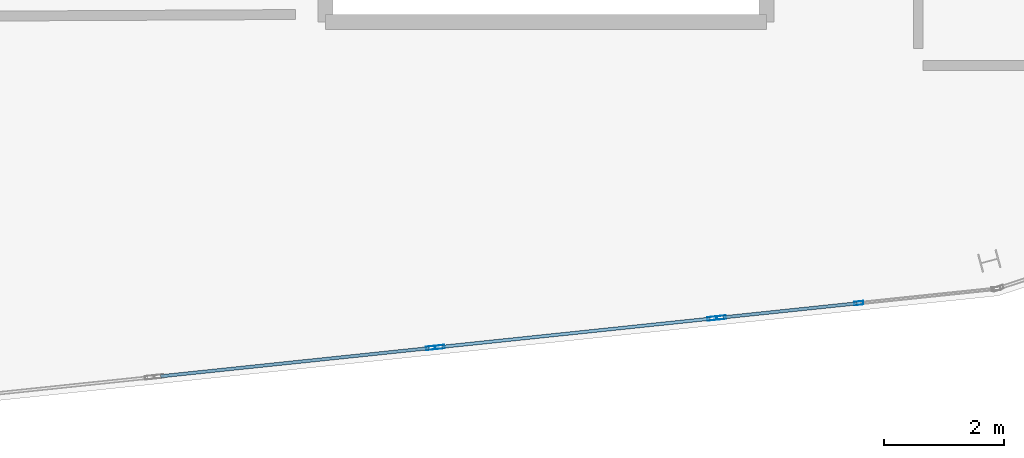
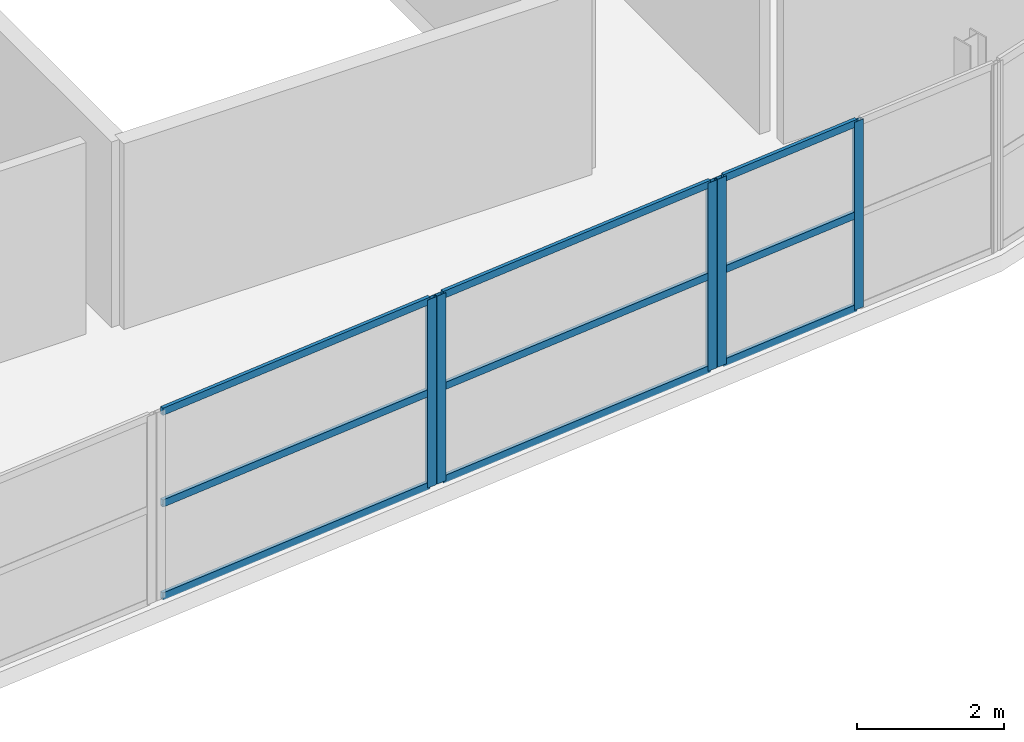
# One storey, part 17 of 35: 14 members, 3 elements without a shape of their own.
"""IFC4 building model written with IfcOpenShell, lengths in metres."""

from ifc_helpers import new_model, si_unit, direction, frame, origin, origin_2d, place, context, subcontext, project, spatial, hollow_rectangle, extrude, material, layer, layer_set, material_profile, profile_set, type_object, element, aggregate, save


model = new_model("IFC4")

# Units and contexts
model_context = context("Model", 3, precision=1e-05, world=origin(), true_north=direction((0.0, 1.0)))
body_context = subcontext(model_context, "Body", "Model", "MODEL_VIEW")
ifc_project = project(units=[si_unit("LENGTHUNIT", "METRE"), si_unit("AREAUNIT", "SQUARE_METRE"), si_unit("VOLUMEUNIT", "CUBIC_METRE"), si_unit("PLANEANGLEUNIT", "RADIAN"), si_unit("MASSUNIT", "GRAM", prefix="KILO")], contexts=[model_context])

# Site, building, storey
site_placement = place(None, origin())
site = spatial("IfcSite", under=ifc_project, at=site_placement, CompositionType="ELEMENT")
building_placement = place(site_placement, origin())
building = spatial("IfcBuilding", under=site, at=building_placement, Name="Kalgoora Escarpment Arena", CompositionType="ELEMENT")
storey_placement = place(building_placement, frame((0.0, 0.0, 23.39990234375)))
storey = spatial("IfcBuildingStorey", under=building, at=storey_placement, Name="L05", CompositionType="ELEMENT", Elevation=23.39990234375)

# Curtain wall, members
ifc_material_1 = material(Name=" Champagne anodised aluminium & double-glazed low-E", Category="aluminium")
ifc_layer_1 = layer(ifc_material_1, 0.154052734375)
ifc_layer_set_1 = layer_set([ifc_layer_1], Name="CW-UNIT-11")
curtain_wall_type_1 = type_object("IfcCurtainWallType", Name="CW-UNIT-11", PredefinedType="NOTDEFINED", material=ifc_layer_set_1)
curtain_wall_1_placement = place(storey_placement, origin())
curtain_wall_1 = element("IfcCurtainWall", 1, at=curtain_wall_1_placement, inside=storey, type_object=curtain_wall_type_1, Name="L05 unitised facade curtain wall 190", PredefinedType="NOTDEFINED")
ifc_material_2 = material(Name="Anodised aluminium 6063-T6", Category="aluminium")
ifc_material_profile_1 = material_profile(ifc_material_2, hollow_rectangle(XDim=0.06005859375, YDim=0.14990234375, WallThickness=0.00341796875, at=origin_2d()))
ifc_profile_set_1 = profile_set([ifc_material_profile_1], Name="Anodised aluminium 6063-T6")
member_type_1 = type_object("IfcMemberType", Name="MEM-CW-MULL-150", PredefinedType="MULLION", material=ifc_profile_set_1)
member_1_placement = place(storey_placement, frame((108.80859375, 8.2392578125, 0.02001953125), z_axis=(0.0, 0.0, 1.0), x_axis=(0.10415754759, -0.994560810247, 0.0)))
member_1 = element("IfcMember", 2, at=member_1_placement, type_object=member_type_1, Name="CW-11 mullion 2", PredefinedType="MULLION", context=body_context, shape_type="SweptSolid", body=[
    extrude(hollow_rectangle(XDim=0.06005859375, YDim=0.14990234375, WallThickness=0.00341796875, at=origin_2d()), origin(), (0.0, 0.0, 1.0), 3.1201171875),
])
member_2_placement = place(storey_placement, frame((106.52099609375, 7.999755859375, 0.02001953125), z_axis=(0.0, 0.0, 1.0), x_axis=(0.10415754759, -0.994560810247, 0.0)))
member_2 = element("IfcMember", 3, at=member_2_placement, type_object=member_type_1, Name="CW-11 mullion 3", PredefinedType="MULLION", context=body_context, shape_type="SweptSolid", body=[
    extrude(hollow_rectangle(XDim=0.06005859375, YDim=0.14990234375, WallThickness=0.00341796875, at=origin_2d()), origin(), (0.0, 0.0, 1.0), 3.1201171875),
])

ifc_material_3 = material(Name=" Champagne anodised aluminium & double-glazed low-E", Category="aluminium")
ifc_layer_2 = layer(ifc_material_3, 0.157958984375)
ifc_layer_set_2 = layer_set([ifc_layer_2], Name="CW-UNIT-12")
curtain_wall_type_2 = type_object("IfcCurtainWallType", Name="CW-UNIT-12", PredefinedType="NOTDEFINED", material=ifc_layer_set_2)
curtain_wall_2_placement = place(storey_placement, origin())
curtain_wall_2 = element("IfcCurtainWall", 4, at=curtain_wall_2_placement, inside=storey, type_object=curtain_wall_type_2, Name="L05 unitised facade curtain wall 191", PredefinedType="NOTDEFINED")
member_3_placement = place(storey_placement, frame((106.36181640625, 7.983154296875, 0.02001953125), z_axis=(0.0, 0.0, 1.0), x_axis=(0.104182310405, -0.994558216596, 0.0)))
member_3 = element("IfcMember", 5, at=member_3_placement, type_object=member_type_1, Name="CW-12 mullion 1", PredefinedType="MULLION", context=body_context, shape_type="SweptSolid", body=[
    extrude(hollow_rectangle(XDim=0.06005859375, YDim=0.14990234375, WallThickness=0.00341796875, at=origin_2d()), origin(), (0.0, 0.0, 1.0), 3.1201171875),
])
member_4_placement = place(storey_placement, frame((101.83642578125, 7.509033203125, 0.02001953125), z_axis=(0.0, 0.0, 1.0), x_axis=(0.104182310405, -0.994558216596, 0.0)))
member_4 = element("IfcMember", 6, at=member_4_placement, type_object=member_type_1, Name="CW-12 mullion 2", PredefinedType="MULLION", context=body_context, shape_type="SweptSolid", body=[
    extrude(hollow_rectangle(XDim=0.06005859375, YDim=0.14990234375, WallThickness=0.00341796875, at=origin_2d()), origin(), (0.0, 0.0, 1.0), 3.1201171875),
])

# Curtain wall, member
ifc_material_4 = material(Name=" Champagne anodised aluminium & double-glazed low-E", Category="aluminium")
ifc_layer_3 = layer(ifc_material_4, 0.162109375)
ifc_layer_set_3 = layer_set([ifc_layer_3], Name="CW-UNIT-13")
curtain_wall_type_3 = type_object("IfcCurtainWallType", Name="CW-UNIT-13", PredefinedType="NOTDEFINED", material=ifc_layer_set_3)
curtain_wall_3_placement = place(storey_placement, origin())
curtain_wall_3 = element("IfcCurtainWall", 7, at=curtain_wall_3_placement, inside=storey, type_object=curtain_wall_type_3, Name="L05 unitised facade curtain wall 192", PredefinedType="NOTDEFINED")
member_5_placement = place(storey_placement, frame((101.67724609375, 7.492431640625, 0.02001953125), z_axis=(0.0, 0.0, 1.0), x_axis=(0.104182310405, -0.994558216596, 0.0)))
member_5 = element("IfcMember", 8, at=member_5_placement, type_object=member_type_1, Name="CW-13 mullion 1", PredefinedType="MULLION", context=body_context, shape_type="SweptSolid", body=[
    extrude(hollow_rectangle(XDim=0.06005859375, YDim=0.14990234375, WallThickness=0.00341796875, at=origin_2d()), origin(), (0.0, 0.0, 1.0), 3.1201171875),
])

# Member
ifc_material_5 = material(Name="Anodised aluminium 6063-T6", Category="aluminium")
ifc_material_profile_2 = material_profile(ifc_material_5, hollow_rectangle(XDim=0.054931640625, YDim=0.1201171875, WallThickness=0.003173828125, at=origin_2d()))
ifc_profile_set_2 = profile_set([ifc_material_profile_2], Name="Anodised aluminium 6063-T6")
member_type_2 = type_object("IfcMemberType", Name="MEM-CW-TRAN-120", PredefinedType="USERDEFINED", material=ifc_profile_set_2)
member_6_placement = place(storey_placement, frame((108.77880859375, 8.236083984375, 0.047607421875), z_axis=(-0.99456916393, -0.104077750554, 0.0), x_axis=(0.104077750554, -0.99456916393, 0.0)))
member_6 = element("IfcMember", 9, at=member_6_placement, type_object=member_type_2, Name="CW-11 transom 2.1", ObjectType="TRANSOM", PredefinedType="USERDEFINED", context=body_context, shape_type="SweptSolid", body=[
    extrude(hollow_rectangle(XDim=0.054931640625, YDim=0.1201171875, WallThickness=0.003173828125, at=origin_2d()), origin(), (0.0, 0.0, 1.0), 2.240234375),
])

member_7_placement = place(storey_placement, frame((108.77880859375, 8.236083984375, 1.590087890625), z_axis=(-0.99456916393, -0.104077750554, 0.0), x_axis=(0.104077750554, -0.99456916393, 0.0)))
member_7 = element("IfcMember", 10, at=member_7_placement, type_object=member_type_2, Name="CW-11 transom 2.2", ObjectType="TRANSOM", PredefinedType="USERDEFINED", context=body_context, shape_type="SweptSolid", body=[
    extrude(hollow_rectangle(XDim=0.054931640625, YDim=0.1201171875, WallThickness=0.003173828125, at=origin_2d()), origin(), (0.0, 0.0, 1.0), 2.240234375),
])

member_8_placement = place(storey_placement, frame((108.77880859375, 8.236083984375, 3.112548828125), z_axis=(-0.99456916393, -0.104077750554, 0.0), x_axis=(0.104077750554, -0.99456916393, 0.0)))
member_8 = element("IfcMember", 11, at=member_8_placement, type_object=member_type_2, Name="CW-11 transom 2.3", ObjectType="TRANSOM", PredefinedType="USERDEFINED", context=body_context, shape_type="SweptSolid", body=[
    extrude(hollow_rectangle(XDim=0.054931640625, YDim=0.1201171875, WallThickness=0.003173828125, at=origin_2d()), origin(), (0.0, 0.0, 1.0), 2.240234375),
])

aggregate(curtain_wall_1, [member_1, member_2, member_6, member_7, member_8])

member_9_placement = place(storey_placement, frame((106.33203125, 7.97998046875, 0.047607421875), z_axis=(-0.994558948875, -0.104175319596, 0.0), x_axis=(0.104175319596, -0.994558948875, 0.0)))
member_9 = element("IfcMember", 12, at=member_9_placement, type_object=member_type_2, Name="CW-12 transom 1.1", ObjectType="TRANSOM", PredefinedType="USERDEFINED", context=body_context, shape_type="SweptSolid", body=[
    extrude(hollow_rectangle(XDim=0.054931640625, YDim=0.1201171875, WallThickness=0.003173828125, at=origin_2d()), origin(), (0.0, 0.0, 1.0), 4.490234375),
])

member_10_placement = place(storey_placement, frame((106.33203125, 7.97998046875, 1.590087890625), z_axis=(-0.994558948875, -0.104175319596, 0.0), x_axis=(0.104175319596, -0.994558948875, 0.0)))
member_10 = element("IfcMember", 13, at=member_10_placement, type_object=member_type_2, Name="CW-12 transom 1.2", ObjectType="TRANSOM", PredefinedType="USERDEFINED", context=body_context, shape_type="SweptSolid", body=[
    extrude(hollow_rectangle(XDim=0.054931640625, YDim=0.1201171875, WallThickness=0.003173828125, at=origin_2d()), origin(), (0.0, 0.0, 1.0), 4.490234375),
])

member_11_placement = place(storey_placement, frame((106.33203125, 7.97998046875, 3.112548828125), z_axis=(-0.994558948875, -0.104175319596, 0.0), x_axis=(0.104175319596, -0.994558948875, 0.0)))
member_11 = element("IfcMember", 14, at=member_11_placement, type_object=member_type_2, Name="CW-12 transom 1.3", ObjectType="TRANSOM", PredefinedType="USERDEFINED", context=body_context, shape_type="SweptSolid", body=[
    extrude(hollow_rectangle(XDim=0.054931640625, YDim=0.1201171875, WallThickness=0.003173828125, at=origin_2d()), origin(), (0.0, 0.0, 1.0), 4.490234375),
])

aggregate(curtain_wall_2, [member_3, member_4, member_9, member_10, member_11])

member_12_placement = place(storey_placement, frame((101.647216796875, 7.4892578125, 0.047607421875), z_axis=(-0.994558358763, -0.104180953222, 0.0), x_axis=(0.104180953222, -0.994558358763, 0.0)))
member_12 = element("IfcMember", 15, at=member_12_placement, type_object=member_type_2, Name="CW-13 transom 1.1", ObjectType="TRANSOM", PredefinedType="USERDEFINED", context=body_context, shape_type="SweptSolid", body=[
    extrude(hollow_rectangle(XDim=0.054931640625, YDim=0.1201171875, WallThickness=0.003173828125, at=origin_2d()), origin(), (0.0, 0.0, 1.0), 4.489990234375),
])

member_13_placement = place(storey_placement, frame((101.647216796875, 7.4892578125, 1.590087890625), z_axis=(-0.994558358763, -0.104180953222, 0.0), x_axis=(0.104180953222, -0.994558358763, 0.0)))
member_13 = element("IfcMember", 16, at=member_13_placement, type_object=member_type_2, Name="CW-13 transom 1.2", ObjectType="TRANSOM", PredefinedType="USERDEFINED", context=body_context, shape_type="SweptSolid", body=[
    extrude(hollow_rectangle(XDim=0.054931640625, YDim=0.1201171875, WallThickness=0.003173828125, at=origin_2d()), origin(), (0.0, 0.0, 1.0), 4.489990234375),
])

member_14_placement = place(storey_placement, frame((101.647216796875, 7.4892578125, 3.112548828125), z_axis=(-0.994558358763, -0.104180953222, 0.0), x_axis=(0.104180953222, -0.994558358763, 0.0)))
member_14 = element("IfcMember", 17, at=member_14_placement, type_object=member_type_2, Name="CW-13 transom 1.3", ObjectType="TRANSOM", PredefinedType="USERDEFINED", context=body_context, shape_type="SweptSolid", body=[
    extrude(hollow_rectangle(XDim=0.054931640625, YDim=0.1201171875, WallThickness=0.003173828125, at=origin_2d()), origin(), (0.0, 0.0, 1.0), 4.489990234375),
])

aggregate(curtain_wall_3, [member_5, member_12, member_13, member_14])

save(model, "model.ifc")
